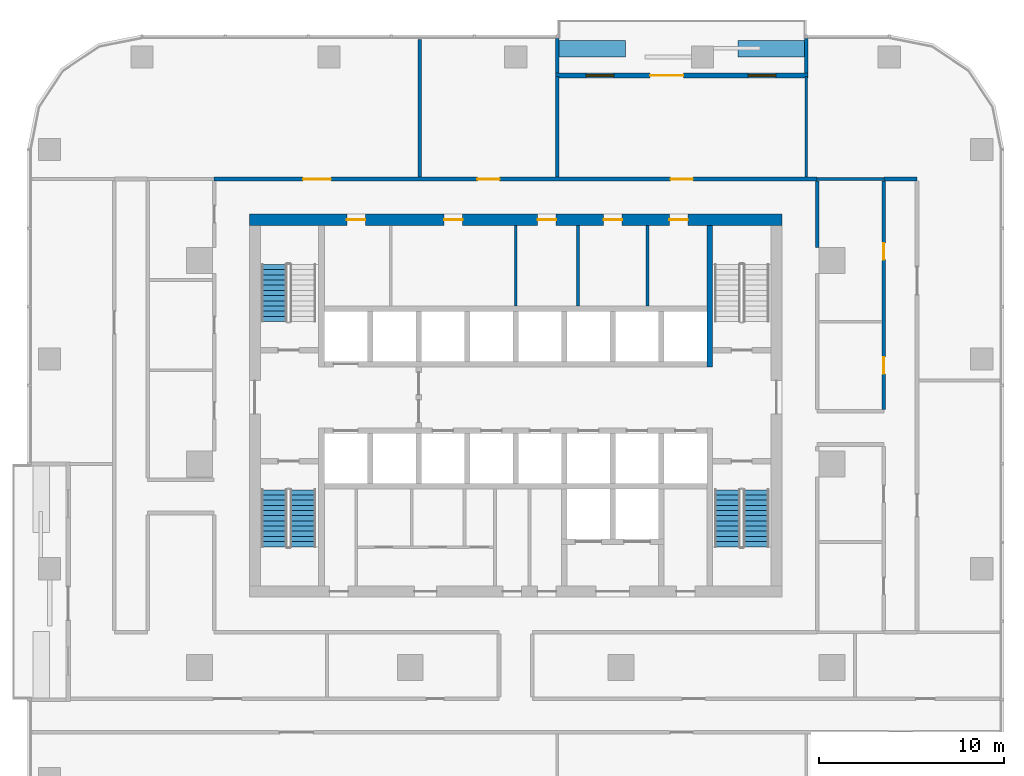
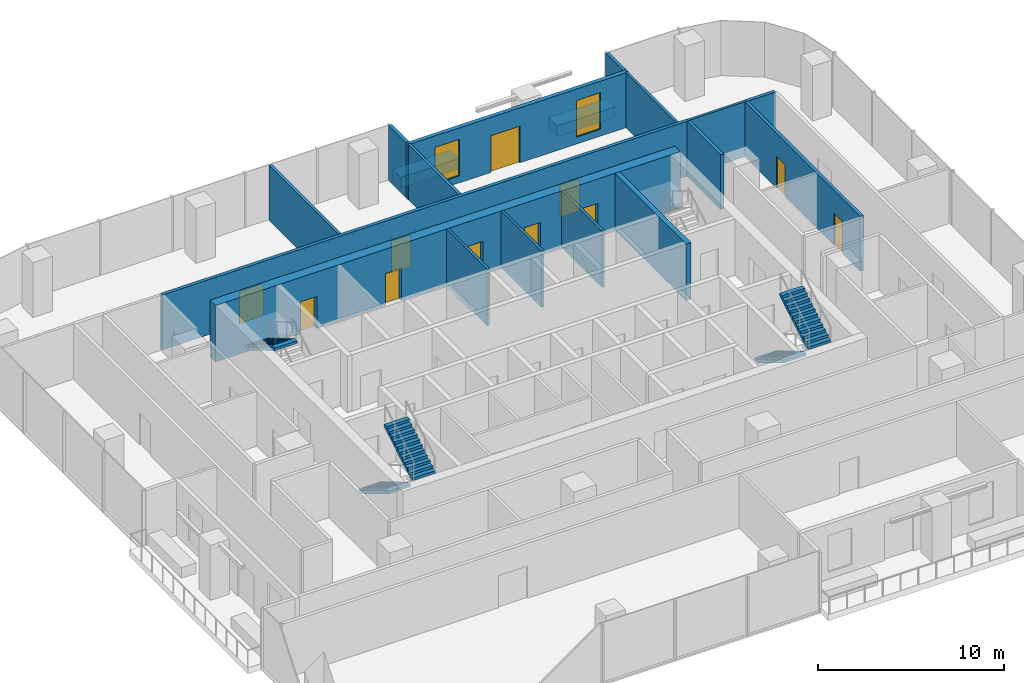
# One storey, part 10 of 14: 18 walls, 11 doors, 5 stair flights, 2 windows, 13 openings, 3 elements without a shape of their own.
"""IFC4 building model written with IfcOpenShell, lengths in metres."""

from ifc_helpers import new_model, si_unit, direction, frame, frame_2d, origin, place, context, subcontext, project, spatial, polyline, rectangle, outline, extrude, material, layer, layer_set, type_object, element, fill, aggregate, save


model = new_model("IFC4")

# Units and contexts
model_context = context("Model", 3, precision=1e-05, world=origin(), true_north=direction((0.0, 1.0)))
body_context = subcontext(model_context, "Body", "Model", "MODEL_VIEW")
ifc_project = project(units=[si_unit("LENGTHUNIT", "METRE"), si_unit("AREAUNIT", "SQUARE_METRE"), si_unit("VOLUMEUNIT", "CUBIC_METRE"), si_unit("PLANEANGLEUNIT", "RADIAN"), si_unit("MASSUNIT", "GRAM", prefix="KILO")], contexts=[model_context])

# Site, building, storey
site_placement = place(None, origin())
site = spatial("IfcSite", under=ifc_project, at=site_placement, CompositionType="ELEMENT")
building_placement = place(site_placement, origin())
building = spatial("IfcBuilding", under=site, at=building_placement, Name="Mopane Tessera Tower", CompositionType="ELEMENT")
storey_placement = place(building_placement, frame((0.0, 0.0, 185.0)))
storey = spatial("IfcBuildingStorey", under=building, at=storey_placement, Name="L38", CompositionType="ELEMENT", Elevation=185.0)

# Walls
ifc_material_1 = material(Name="Fire-rated gypsum board partition")
ifc_layer_1 = layer(ifc_material_1, 0.14990234375)
ifc_layer_set_1 = layer_set([ifc_layer_1], Name="Fire-rated gypsum board partition")
wall_type_1 = type_object("IfcWallType", Name="Core room partition 150 mm", PredefinedType="PARTITIONING", material=ifc_layer_set_1)
for number, where, z_axis, x_axis, name in (
    (1, (0.0, 8.550048828125, 0.0), (0.0, 0.0, 1.0), (0.0, 1.0, 0.0), "L38 Room partition"),
    (2, (3.375, 8.550048828125, 0.0), (0.0, 0.0, 1.0), (0.0, 1.0, 0.0), "L38 Room partition"),
    (3, (7.125, 8.550048828125, 0.0), (0.0, 0.0, 1.0), (0.0, 1.0, 0.0), "L38 Room partition"),
):
    element("IfcWall", number, at=place(storey_placement, frame(where, z_axis=z_axis, x_axis=x_axis)), inside=storey, type_object=wall_type_1, Name=name, PredefinedType="PARTITIONING", context=body_context, shape_type="SweptSolid", body=[
        extrude(rectangle(XDim=4.349853515625, YDim=0.14990234375, at=frame_2d((2.1748046875, 0.0))), origin(), (0.0, 0.0, 1.0), 3.699951171875),
    ])

# Wall, openings, doors
ifc_material_2 = material(Name="Concrete C70/85", Category="concrete")
ifc_layer_2 = layer(ifc_material_2, 0.60009765625)
ifc_layer_set_2 = layer_set([ifc_layer_2], Name="Concrete C70/85")
wall_type_2 = type_object("IfcWallType", Name="Core shear wall 600 mm", PredefinedType="SHEAR", material=ifc_layer_set_2)
wall_1_placement = place(storey_placement, frame((-14.39990234375, 13.199951171875, 0.0), z_axis=(0.0, 0.0, 1.0), x_axis=(1.0, 0.0, 0.0)))
wall_1 = element("IfcWall", 4, at=wall_1_placement, inside=storey, type_object=wall_type_2, Name="L38 Core wall north", PredefinedType="SHEAR", context=body_context, shape_type="SweptSolid", body=[
    extrude(rectangle(XDim=28.7998046875, YDim=0.60009765625, at=frame_2d((14.39990234375, 0.0))), origin(), (0.0, 0.0, 1.0), 3.699951171875),
])
opening_1_placement = place(wall_1_placement, frame((5.27490234375, 0.0, 0.0)))
opening_1 = element("IfcOpeningElement", 5, at=opening_1_placement, cuts=wall_1, Name="Opening RD1", PredefinedType="OPENING", context=body_context, shape_type="SweptSolid", body=[
    extrude(rectangle(XDim=1.0, YDim=2.10009765625, at=frame_2d((0.5, 1.050048828125))), frame((0.0, 0.31201171875, 0.0), z_axis=(0.0, -1.0, 0.0), x_axis=(1.0, 0.0, 0.0)), (0.0, 0.0, 1.0), 0.6240234375),
])
opening_2_placement = place(wall_1_placement, frame((10.52490234375, 0.0, 0.0)))
opening_2 = element("IfcOpeningElement", 6, at=opening_2_placement, cuts=wall_1, Name="Opening RD1", PredefinedType="OPENING", context=body_context, shape_type="SweptSolid", body=[
    extrude(rectangle(XDim=1.0, YDim=2.10009765625, at=frame_2d((0.5, 1.050048828125))), frame((0.0, 0.31201171875, 0.0), z_axis=(0.0, -1.0, 0.0), x_axis=(1.0, 0.0, 0.0)), (0.0, 0.0, 1.0), 0.6240234375),
])
opening_3_placement = place(wall_1_placement, frame((15.58740234375, 0.0, 0.0)))
opening_3 = element("IfcOpeningElement", 7, at=opening_3_placement, cuts=wall_1, Name="Opening RD1", PredefinedType="OPENING", context=body_context, shape_type="SweptSolid", body=[
    extrude(rectangle(XDim=1.0, YDim=2.10009765625, at=frame_2d((0.5, 1.050048828125))), frame((0.0, 0.31201171875, 0.0), z_axis=(0.0, -1.0, 0.0), x_axis=(1.0, 0.0, 0.0)), (0.0, 0.0, 1.0), 0.6240234375),
])
opening_4_placement = place(wall_1_placement, frame((19.14990234375, 0.0, 0.0)))
opening_4 = element("IfcOpeningElement", 8, at=opening_4_placement, cuts=wall_1, Name="Opening RD1", PredefinedType="OPENING", context=body_context, shape_type="SweptSolid", body=[
    extrude(rectangle(XDim=1.0, YDim=2.10009765625, at=frame_2d((0.5, 1.050048828125))), frame((0.0, 0.31201171875, 0.0), z_axis=(0.0, -1.0, 0.0), x_axis=(1.0, 0.0, 0.0)), (0.0, 0.0, 1.0), 0.6240234375),
])
opening_5_placement = place(wall_1_placement, frame((22.71240234375, 0.0, 0.0)))
opening_5 = element("IfcOpeningElement", 9, at=opening_5_placement, cuts=wall_1, Name="Opening RD1", PredefinedType="OPENING", context=body_context, shape_type="SweptSolid", body=[
    extrude(rectangle(XDim=1.0, YDim=2.10009765625, at=frame_2d((0.5, 1.050048828125))), frame((0.0, 0.31201171875, 0.0), z_axis=(0.0, -1.0, 0.0), x_axis=(1.0, 0.0, 0.0)), (0.0, 0.0, 1.0), 0.6240234375),
])
ifc_material_3 = material(Name="Timber door", Category="wood")
door_type_1 = type_object("IfcDoorType", Name="Core room door 1000 x 2100", OperationType="SINGLE_SWING_LEFT", PredefinedType="DOOR", material=ifc_material_3)
door_1_placement = place(opening_1_placement, origin())
door_1 = element("IfcDoor", 10, at=door_1_placement, inside=storey, type_object=door_type_1, Name="L38 Room door", OperationType="SINGLE_SWING_LEFT", OverallHeight=2.10009765625, OverallWidth=1.0, PredefinedType="DOOR", context=body_context, shape_type="SweptSolid", body=[
    extrude(rectangle(XDim=1.0, YDim=2.10009765625, at=frame_2d((0.5, 1.050048828125))), frame((0.0, 0.02490234375, 0.0), z_axis=(0.0, -1.0, 0.0), x_axis=(1.0, 0.0, 0.0)), (0.0, 0.0, 1.0), 0.050048828125),
])
fill(opening_1, door_1)
door_2_placement = place(opening_2_placement, origin())
door_2 = element("IfcDoor", 11, at=door_2_placement, inside=storey, type_object=door_type_1, Name="L38 Room door", OperationType="SINGLE_SWING_LEFT", OverallHeight=2.10009765625, OverallWidth=1.0, PredefinedType="DOOR", context=body_context, shape_type="SweptSolid", body=[
    extrude(rectangle(XDim=1.0, YDim=2.10009765625, at=frame_2d((0.5, 1.050048828125))), frame((0.0, 0.02490234375, 0.0), z_axis=(0.0, -1.0, 0.0), x_axis=(1.0, 0.0, 0.0)), (0.0, 0.0, 1.0), 0.050048828125),
])
fill(opening_2, door_2)
door_3_placement = place(opening_3_placement, origin())
door_3 = element("IfcDoor", 12, at=door_3_placement, inside=storey, type_object=door_type_1, Name="L38 Room door", OperationType="SINGLE_SWING_LEFT", OverallHeight=2.10009765625, OverallWidth=1.0, PredefinedType="DOOR", context=body_context, shape_type="SweptSolid", body=[
    extrude(rectangle(XDim=1.0, YDim=2.10009765625, at=frame_2d((0.5, 1.050048828125))), frame((0.0, 0.02490234375, 0.0), z_axis=(0.0, -1.0, 0.0), x_axis=(1.0, 0.0, 0.0)), (0.0, 0.0, 1.0), 0.050048828125),
])
fill(opening_3, door_3)
door_4_placement = place(opening_4_placement, origin())
door_4 = element("IfcDoor", 13, at=door_4_placement, inside=storey, type_object=door_type_1, Name="L38 Room door", OperationType="SINGLE_SWING_LEFT", OverallHeight=2.10009765625, OverallWidth=1.0, PredefinedType="DOOR", context=body_context, shape_type="SweptSolid", body=[
    extrude(rectangle(XDim=1.0, YDim=2.10009765625, at=frame_2d((0.5, 1.050048828125))), frame((0.0, 0.02490234375, 0.0), z_axis=(0.0, -1.0, 0.0), x_axis=(1.0, 0.0, 0.0)), (0.0, 0.0, 1.0), 0.050048828125),
])
fill(opening_4, door_4)
door_5_placement = place(opening_5_placement, origin())
door_5 = element("IfcDoor", 14, at=door_5_placement, inside=storey, type_object=door_type_1, Name="L38 Room door", OperationType="SINGLE_SWING_LEFT", OverallHeight=2.10009765625, OverallWidth=1.0, PredefinedType="DOOR", context=body_context, shape_type="SweptSolid", body=[
    extrude(rectangle(XDim=1.0, YDim=2.10009765625, at=frame_2d((0.5, 1.050048828125))), frame((0.0, 0.02490234375, 0.0), z_axis=(0.0, -1.0, 0.0), x_axis=(1.0, 0.0, 0.0)), (0.0, 0.0, 1.0), 0.050048828125),
])
fill(opening_5, door_5)

# Walls
ifc_material_4 = material(Name="Concrete C60/75", Category="concrete")
ifc_layer_3 = layer(ifc_material_4, 0.300048828125)
ifc_layer_set_3 = layer_set([ifc_layer_3], Name="Concrete C60/75")
wall_type_3 = type_object("IfcWallType", Name="Core spine wall 300 mm", PredefinedType="SHEAR", material=ifc_layer_set_3)
wall_2_placement = place(storey_placement, frame((10.5, 5.25, 0.0), z_axis=(0.0, 0.0, 1.0), x_axis=(0.0, 1.0, 0.0)))
element("IfcWall", 15, at=wall_2_placement, inside=storey, type_object=wall_type_3, Name="L38 Core spine wall", PredefinedType="SHEAR", context=body_context, shape_type="SweptSolid", body=[
    extrude(rectangle(XDim=7.64990234375, YDim=0.300048828125, at=frame_2d((3.824951171875, 0.0))), origin(), (0.0, 0.0, 1.0), 3.699951171875),
])
ifc_material_5 = material(Name="Gypsum board on staggered steel studs, double layer each face, acoustic mineral wool infill", Category="steel")
ifc_layer_4 = layer(ifc_material_5, 0.175048828125)
ifc_layer_set_4 = layer_set([ifc_layer_4], Name="Gypsum board on staggered steel studs, double layer each face, acoustic mineral wool infill")
wall_type_4 = type_object("IfcWallType", Name="Gypsum board acoustic partition 175, rated EI 60", PredefinedType="PARTITIONING", material=ifc_layer_set_4)
wall_3_placement = place(storey_placement, frame((-5.18994140625, 15.5, 0.0), z_axis=(0.0, 0.0, 1.0), x_axis=(0.0, 1.0, 0.0)))
element("IfcWall", 16, at=wall_3_placement, inside=storey, type_object=wall_type_4, Name="Partition L38:032", PredefinedType="PARTITIONING", context=body_context, shape_type="SweptSolid", body=[
    extrude(rectangle(XDim=7.449951171875, YDim=0.175048828125, at=frame_2d((3.72509765625, 0.0))), origin(), (0.0, 0.0, 1.0), 3.60009765625),
])
wall_4_placement = place(storey_placement, frame((2.2451171875, 15.5, 0.0), z_axis=(0.0, 0.0, 1.0), x_axis=(0.0, 1.0, 0.0)))
element("IfcWall", 17, at=wall_4_placement, inside=storey, type_object=wall_type_4, Name="Partition L38:036", PredefinedType="PARTITIONING", context=body_context, shape_type="SweptSolid", body=[
    extrude(rectangle(XDim=5.449951171875, YDim=0.175048828125, at=frame_2d((2.72509765625, 0.0))), origin(), (0.0, 0.0, 1.0), 3.60009765625),
])

# Wall, openings, doors
ifc_material_6 = material(Name="Gypsum board on steel studs, two layers each face, mineral wool infill", Category="steel")
ifc_layer_5 = layer(ifc_material_6, 0.199951171875)
ifc_layer_set_5 = layer_set([ifc_layer_5], Name="Gypsum board on steel studs, two layers each face, mineral wool infill")
wall_type_5 = type_object("IfcWallType", Name="Gypsum board corridor wall 200, rated EI 60", PredefinedType="PARTITIONING", material=ifc_layer_set_5)
wall_5_placement = place(storey_placement, frame((-16.300048828125, 15.39990234375, 0.0), z_axis=(0.0, 0.0, 1.0), x_axis=(1.0, 0.0, 0.0)))
wall_5 = element("IfcWall", 18, at=wall_5_placement, inside=storey, type_object=wall_type_5, Name="Partition L38:023", PredefinedType="PARTITIONING", context=body_context, shape_type="SweptSolid", body=[
    extrude(rectangle(XDim=32.60009765625, YDim=0.199951171875, at=frame_2d((16.300048828125, 0.0))), origin(), (0.0, 0.0, 1.0), 3.60009765625),
])
opening_6_placement = place(wall_5_placement, frame((24.677490234375, 0.0, 0.0)))
opening_6 = element("IfcOpeningElement", 19, at=opening_6_placement, cuts=wall_5, Name="Opening L38-13", PredefinedType="OPENING", context=body_context, shape_type="SweptSolid", body=[
    extrude(rectangle(XDim=1.199951171875, YDim=2.10009765625, at=frame_2d((0.60009765625, 1.050048828125))), frame((0.0, 0.112060546875, 0.0), z_axis=(0.0, -1.0, 0.0), x_axis=(1.0, 0.0, 0.0)), (0.0, 0.0, 1.0), 0.223876953125),
])
opening_7_placement = place(wall_5_placement, frame((4.804931640625, 0.0, 0.0)))
opening_7 = element("IfcOpeningElement", 20, at=opening_7_placement, cuts=wall_5, Name="Opening L38-19", PredefinedType="OPENING", context=body_context, shape_type="SweptSolid", body=[
    extrude(rectangle(XDim=1.5, YDim=2.10009765625, at=frame_2d((0.75, 1.050048828125))), frame((0.0, 0.112060546875, 0.0), z_axis=(0.0, -1.0, 0.0), x_axis=(1.0, 0.0, 0.0)), (0.0, 0.0, 1.0), 0.223876953125),
])
opening_8_placement = place(wall_5_placement, frame((14.2275390625, 0.0, 0.0)))
opening_8 = element("IfcOpeningElement", 21, at=opening_8_placement, cuts=wall_5, Name="Opening L38-20", PredefinedType="OPENING", context=body_context, shape_type="SweptSolid", body=[
    extrude(rectangle(XDim=1.199951171875, YDim=2.10009765625, at=frame_2d((0.60009765625, 1.050048828125))), frame((0.0, 0.112060546875, 0.0), z_axis=(0.0, -1.0, 0.0), x_axis=(1.0, 0.0, 0.0)), (0.0, 0.0, 1.0), 0.223876953125),
])
ifc_material_7 = material(Name="Timber veneered steel-framed fire door", Category="steel")
door_type_2 = type_object("IfcDoorType", Name="Fire door FD60 1200 x 2100", OperationType="SINGLE_SWING_LEFT", PredefinedType="DOOR", material=ifc_material_7)
door_6_placement = place(opening_6_placement, origin())
door_6 = element("IfcDoor", 22, at=door_6_placement, inside=storey, type_object=door_type_2, Name="Door L38-13", ObjectType="D15A", OperationType="SINGLE_SWING_RIGHT", OverallHeight=2.10009765625, OverallWidth=1.199951171875, PredefinedType="DOOR", context=body_context, shape_type="SweptSolid", body=[
    extrude(rectangle(XDim=1.199951171875, YDim=2.10009765625, at=frame_2d((0.60009765625, 1.050048828125))), frame((0.0, 0.02490234375, 0.0), z_axis=(0.0, -1.0, 0.0), x_axis=(1.0, 0.0, 0.0)), (0.0, 0.0, 1.0), 0.050048828125),
])
fill(opening_6, door_6)
door_7_placement = place(opening_8_placement, origin())
door_7 = element("IfcDoor", 23, at=door_7_placement, inside=storey, type_object=door_type_2, Name="Door L38-20", ObjectType="D15A", OperationType="SINGLE_SWING_LEFT", OverallHeight=2.10009765625, OverallWidth=1.199951171875, PredefinedType="DOOR", context=body_context, shape_type="SweptSolid", body=[
    extrude(rectangle(XDim=1.199951171875, YDim=2.10009765625, at=frame_2d((0.60009765625, 1.050048828125))), frame((0.0, 0.02490234375, 0.0), z_axis=(0.0, -1.0, 0.0), x_axis=(1.0, 0.0, 0.0)), (0.0, 0.0, 1.0), 0.050048828125),
])
fill(opening_8, door_7)
ifc_material_8 = material(Name="Timber veneered steel-framed fire door", Category="steel")
door_type_3 = type_object("IfcDoorType", Name="Fire door pair FD60 1500 x 2100", OperationType="DOUBLE_DOOR_SINGLE_SWING", PredefinedType="DOOR", material=ifc_material_8)
door_8_placement = place(opening_7_placement, origin())
door_8 = element("IfcDoor", 24, at=door_8_placement, inside=storey, type_object=door_type_3, Name="Door L38-19", ObjectType="D17A", OperationType="DOUBLE_DOOR_SINGLE_SWING", OverallHeight=2.10009765625, OverallWidth=1.5, PredefinedType="DOOR", context=body_context, shape_type="SweptSolid", body=[
    extrude(rectangle(XDim=1.5, YDim=2.10009765625, at=frame_2d((0.75, 1.050048828125))), frame((0.0, 0.02490234375, 0.0), z_axis=(0.0, -1.0, 0.0), x_axis=(1.0, 0.0, 0.0)), (0.0, 0.0, 1.0), 0.050048828125),
])
fill(opening_7, door_8)

# Walls
wall_6_placement = place(storey_placement, frame((19.89990234375, 15.39990234375, 0.0), z_axis=(0.0, 0.0, 1.0), x_axis=(1.0, 0.0, 0.0)))
element("IfcWall", 25, at=wall_6_placement, inside=storey, type_object=wall_type_5, Name="Partition L38:024", PredefinedType="PARTITIONING", context=body_context, shape_type="SweptSolid", body=[
    extrude(rectangle(XDim=1.800048828125, YDim=0.199951171875, at=frame_2d((0.89990234375, 0.0))), origin(), (0.0, 0.0, 1.0), 3.60009765625),
])
wall_7_placement = place(storey_placement, frame((16.300048828125, 11.699951171875, 0.0), z_axis=(0.0, 0.0, 1.0), x_axis=(0.0, 1.0, 0.0)))
element("IfcWall", 26, at=wall_7_placement, inside=storey, type_object=wall_type_5, Name="Partition L38:042", PredefinedType="PARTITIONING", context=body_context, shape_type="SweptSolid", body=[
    extrude(rectangle(XDim=3.60009765625, YDim=0.199951171875, at=frame_2d((1.800048828125, 0.0))), origin(), (0.0, 0.0, 1.0), 3.60009765625),
])

# Wall, openings, doors
wall_8_placement = place(storey_placement, frame((19.89990234375, 2.949951171875, 0.0), z_axis=(0.0, 0.0, 1.0), x_axis=(0.0, 1.0, 0.0)))
wall_8 = element("IfcWall", 27, at=wall_8_placement, inside=storey, type_object=wall_type_5, Name="Partition L38:045", PredefinedType="PARTITIONING", context=body_context, shape_type="SweptSolid", body=[
    extrude(rectangle(XDim=12.35009765625, YDim=0.199951171875, at=frame_2d((6.175048828125, 0.0))), origin(), (0.0, 0.0, 1.0), 3.60009765625),
])
opening_9_placement = place(wall_8_placement, frame((8.092529296875, 0.0, 0.0)))
opening_9 = element("IfcOpeningElement", 28, at=opening_9_placement, cuts=wall_8, Name="Opening L38-06", PredefinedType="OPENING", context=body_context, shape_type="SweptSolid", body=[
    extrude(rectangle(XDim=0.89990234375, YDim=2.10009765625, at=frame_2d((0.449951171875, 1.050048828125))), frame((0.0, 0.112060546875, 0.0), z_axis=(0.0, -1.0, 0.0), x_axis=(1.0, 0.0, 0.0)), (0.0, 0.0, 1.0), 0.223876953125),
])
opening_10_placement = place(wall_8_placement, frame((1.91748046875, 0.0, 0.0)))
opening_10 = element("IfcOpeningElement", 29, at=opening_10_placement, cuts=wall_8, Name="Opening L38-18", PredefinedType="OPENING", context=body_context, shape_type="SweptSolid", body=[
    extrude(rectangle(XDim=0.89990234375, YDim=2.10009765625, at=frame_2d((0.449951171875, 1.050048828125))), frame((0.0, 0.112060546875, 0.0), z_axis=(0.0, -1.0, 0.0), x_axis=(1.0, 0.0, 0.0)), (0.0, 0.0, 1.0), 0.223876953125),
])
ifc_material_9 = material(Name="Timber veneered steel-framed fire door", Category="steel")
door_type_4 = type_object("IfcDoorType", Name="Fire door FD60 900 x 2100", OperationType="SINGLE_SWING_LEFT", PredefinedType="DOOR", material=ifc_material_9)
door_9_placement = place(opening_9_placement, origin())
door_9 = element("IfcDoor", 30, at=door_9_placement, inside=storey, type_object=door_type_4, Name="Door L38-06", ObjectType="D10A", OperationType="SINGLE_SWING_LEFT", OverallHeight=2.10009765625, OverallWidth=0.89990234375, PredefinedType="DOOR", context=body_context, shape_type="SweptSolid", body=[
    extrude(rectangle(XDim=0.89990234375, YDim=2.10009765625, at=frame_2d((0.449951171875, 1.050048828125))), frame((0.0, 0.02490234375, 0.0), z_axis=(0.0, -1.0, 0.0), x_axis=(1.0, 0.0, 0.0)), (0.0, 0.0, 1.0), 0.050048828125),
])
fill(opening_9, door_9)
door_10_placement = place(opening_10_placement, origin())
door_10 = element("IfcDoor", 31, at=door_10_placement, inside=storey, type_object=door_type_4, Name="Door L38-18", ObjectType="D10A", OperationType="SINGLE_SWING_LEFT", OverallHeight=2.10009765625, OverallWidth=0.89990234375, PredefinedType="DOOR", context=body_context, shape_type="SweptSolid", body=[
    extrude(rectangle(XDim=0.89990234375, YDim=2.10009765625, at=frame_2d((0.449951171875, 1.050048828125))), frame((0.0, 0.02490234375, 0.0), z_axis=(0.0, -1.0, 0.0), x_axis=(1.0, 0.0, 0.0)), (0.0, 0.0, 1.0), 0.050048828125),
])
fill(opening_10, door_10)

# Walls
ifc_material_10 = material(Name="Gypsum board on steel studs, mineral wool infill", Category="steel")
ifc_layer_6 = layer(ifc_material_10, 0.14990234375)
ifc_layer_set_6 = layer_set([ifc_layer_6], Name="Gypsum board on steel studs, mineral wool infill")
wall_type_6 = type_object("IfcWallType", Name="Gypsum board partition 150, rated EI 60", PredefinedType="PARTITIONING", material=ifc_layer_set_6)
wall_9_placement = place(storey_placement, frame((16.300048828125, 15.39990234375, 0.0), z_axis=(0.0, 0.0, 1.0), x_axis=(1.0, 0.0, 0.0)))
element("IfcWall", 32, at=wall_9_placement, inside=storey, type_object=wall_type_6, Name="Partition L38:021", PredefinedType="PARTITIONING", context=body_context, shape_type="SweptSolid", body=[
    extrude(rectangle(XDim=3.599853515625, YDim=0.14990234375, at=frame_2d((1.7998046875, 0.0))), origin(), (0.0, 0.0, 1.0), 3.60009765625),
])
wall_10_placement = place(storey_placement, frame((15.7099609375, 15.5, 0.0), z_axis=(0.0, 0.0, 1.0), x_axis=(0.0, 1.0, 0.0)))
element("IfcWall", 33, at=wall_10_placement, inside=storey, type_object=wall_type_6, Name="Partition L38:038", PredefinedType="PARTITIONING", context=body_context, shape_type="SweptSolid", body=[
    extrude(rectangle(XDim=5.449951171875, YDim=0.14990234375, at=frame_2d((2.72509765625, 0.0))), origin(), (0.0, 0.0, 1.0), 3.60009765625),
])
ifc_material_11 = material(Name="Reinforced concrete C32/40 with waterproofing", Category="concrete")
ifc_layer_7 = layer(ifc_material_11, 0.89990234375)
ifc_layer_set_7 = layer_set([ifc_layer_7], Name="Reinforced concrete C32/40 with waterproofing")
wall_type_7 = type_object("IfcWallType", Name="Planter trough 3600 x 900", PredefinedType="STANDARD", material=ifc_layer_set_7)
for number, where, z_axis, x_axis, name in (
    (34, (15.611083984375, 22.449951171875, 0.0), (0.0, 0.0, 1.0), (-1.0, 0.0, 0.0), "e:nw:L38:N3:pl0"),
    (35, (5.9443359375, 22.449951171875, 0.0), (0.0, 0.0, 1.0), (-1.0, 0.0, 0.0), "e:nw:L38:N3:pl1"),
):
    element("IfcWall", number, at=place(storey_placement, frame(where, z_axis=z_axis, x_axis=x_axis)), inside=storey, type_object=wall_type_7, Name=name, PredefinedType="STANDARD", context=body_context, shape_type="SweptSolid", body=[
        extrude(rectangle(XDim=3.599853515625, YDim=0.89990234375, at=frame_2d((1.7998046875, 0.0))), origin(), (0.0, 0.0, 1.0), 0.699951171875),
    ])
ifc_material_12 = material(Name="Blockwork with glazed tile facing", Category="masonry")
ifc_layer_8 = layer(ifc_material_12, 0.199951171875)
ifc_layer_set_8 = layer_set([ifc_layer_8], Name="Blockwork with glazed tile facing")
wall_type_8 = type_object("IfcWallType", Name="Terrace cheek wall 200", PredefinedType="STANDARD", material=ifc_layer_set_8)
for number, where, z_axis, x_axis, name in (
    (36, (15.711181640625, 23.0, 0.0), (0.0, 0.0, 1.0), (0.0, -1.0, 0.0), "e:nw:L38:N3:cheeka"),
    (37, (2.244384765625, 23.0, 0.0), (0.0, 0.0, 1.0), (0.0, -1.0, 0.0), "e:nw:L38:N3:cheekb"),
):
    element("IfcWall", number, at=place(storey_placement, frame(where, z_axis=z_axis, x_axis=x_axis)), inside=storey, type_object=wall_type_8, Name=name, PredefinedType="STANDARD", context=body_context, shape_type="SweptSolid", body=[
        extrude(rectangle(XDim=1.875, YDim=0.199951171875, at=frame_2d((0.9375, 0.0))), origin(), (0.0, 0.0, 1.0), 3.60009765625),
    ])

# Wall, openings, windows, door
ifc_material_13 = material(Name="Blockwork with turquoise glazed tile facing", Category="masonry")
ifc_layer_9 = layer(ifc_material_13, 0.25)
ifc_layer_set_9 = layer_set([ifc_layer_9], Name="Blockwork with turquoise glazed tile facing")
wall_type_9 = type_object("IfcWallType", Name="Tile-clad external wall 250, turquoise", PredefinedType="STANDARD", material=ifc_layer_set_9)
wall_11_placement = place(storey_placement, frame((15.81103515625, 21.0, 0.0), z_axis=(0.0, 0.0, 1.0), x_axis=(-1.0, 0.0, 0.0)))
wall_11 = element("IfcWall", 38, at=wall_11_placement, inside=storey, type_object=wall_type_9, Name="e:nw:L38:N3:back", PredefinedType="STANDARD", context=body_context, shape_type="SweptSolid", body=[
    extrude(rectangle(XDim=13.66650390625, YDim=0.25, at=frame_2d((6.833251953125, 0.0))), origin(), (0.0, 0.0, 1.0), 3.60009765625),
])
opening_11_placement = place(wall_11_placement, frame((1.75, 0.0, 0.449951171875)))
opening_11 = element("IfcOpeningElement", 39, at=opening_11_placement, cuts=wall_11, Name="Opening NW383A", PredefinedType="OPENING", context=body_context, shape_type="SweptSolid", body=[
    extrude(rectangle(XDim=1.5, YDim=2.39990234375, at=frame_2d((0.75, 1.199951171875))), frame((0.0, 0.136962890625, 0.0), z_axis=(0.0, -1.0, 0.0), x_axis=(1.0, 0.0, 0.0)), (0.0, 0.0, 1.0), 0.27392578125),
])
opening_12_placement = place(wall_11_placement, frame((6.75, 0.0, 0.0)))
opening_12 = element("IfcOpeningElement", 40, at=opening_12_placement, cuts=wall_11, Name="Opening ND383", PredefinedType="OPENING", context=body_context, shape_type="SweptSolid", body=[
    extrude(rectangle(XDim=1.800048828125, YDim=2.39990234375, at=frame_2d((0.89990234375, 1.199951171875))), frame((0.0, 0.136962890625, 0.0), z_axis=(0.0, -1.0, 0.0), x_axis=(1.0, 0.0, 0.0)), (0.0, 0.0, 1.0), 0.27392578125),
])
opening_13_placement = place(wall_11_placement, frame((10.5, 0.0, 0.449951171875)))
opening_13 = element("IfcOpeningElement", 41, at=opening_13_placement, cuts=wall_11, Name="Opening NW383B", PredefinedType="OPENING", context=body_context, shape_type="SweptSolid", body=[
    extrude(rectangle(XDim=1.5, YDim=2.39990234375, at=frame_2d((0.75, 1.199951171875))), frame((0.0, 0.136962890625, 0.0), z_axis=(0.0, -1.0, 0.0), x_axis=(1.0, 0.0, 0.0)), (0.0, 0.0, 1.0), 0.27392578125),
])
ifc_material_14 = material(Name="Clear laminated glass", Category="glass")
window_type = type_object("IfcWindowType", Name="Fixed window 1500 x 2400", PartitioningType="SINGLE_PANEL", PredefinedType="WINDOW", material=ifc_material_14)
window_1_placement = place(opening_11_placement, origin())
window_1 = element("IfcWindow", 42, at=window_1_placement, inside=storey, type_object=window_type, Name="e:nw:L38:N3:win0", OverallHeight=2.39990234375, OverallWidth=1.5, PartitioningType="SINGLE_PANEL", PredefinedType="WINDOW", context=body_context, shape_type="SweptSolid", body=[
    extrude(rectangle(XDim=1.5, YDim=2.39990234375, at=frame_2d((0.75, 1.199951171875))), frame((0.0, 0.030029296875, 0.0), z_axis=(0.0, -1.0, 0.0), x_axis=(1.0, 0.0, 0.0)), (0.0, 0.0, 1.0), 0.06005859375),
])
fill(opening_11, window_1)
window_2_placement = place(opening_13_placement, origin())
window_2 = element("IfcWindow", 43, at=window_2_placement, inside=storey, type_object=window_type, Name="e:nw:L38:N3:win2", OverallHeight=2.39990234375, OverallWidth=1.5, PartitioningType="SINGLE_PANEL", PredefinedType="WINDOW", context=body_context, shape_type="SweptSolid", body=[
    extrude(rectangle(XDim=1.5, YDim=2.39990234375, at=frame_2d((0.75, 1.199951171875))), frame((0.0, 0.030029296875, 0.0), z_axis=(0.0, -1.0, 0.0), x_axis=(1.0, 0.0, 0.0)), (0.0, 0.0, 1.0), 0.06005859375),
])
fill(opening_13, window_2)
ifc_material_15 = material(Name="Aluminium and clear glass", Category="aluminium")
door_type_5 = type_object("IfcDoorType", Name="Terrace double door 1800 x 2400", OperationType="DOUBLE_DOOR_SINGLE_SWING", PredefinedType="DOOR", material=ifc_material_15)
door_11_placement = place(opening_12_placement, origin())
door_11 = element("IfcDoor", 44, at=door_11_placement, inside=storey, type_object=door_type_5, Name="e:nw:L38:N3:door", ObjectType="D1", OperationType="DOUBLE_DOOR_SINGLE_SWING", OverallHeight=2.39990234375, OverallWidth=1.800048828125, PredefinedType="DOOR", context=body_context, shape_type="SweptSolid", body=[
    extrude(rectangle(XDim=1.800048828125, YDim=2.39990234375, at=frame_2d((0.89990234375, 1.199951171875))), frame((0.0, 0.02490234375, 0.0), z_axis=(0.0, -1.0, 0.0), x_axis=(1.0, 0.0, 0.0)), (0.0, 0.0, 1.0), 0.050048828125),
])
fill(opening_12, door_11)

# Stair, stair flights
ifc_material_16 = material(Name="Concrete C50/60", Category="concrete")
stair_type = type_object("IfcStairType", Name="Escape stair 1400 mm, riser 167 mm", PredefinedType="HALF_TURN_STAIR", material=ifc_material_16)
stair_1_placement = place(storey_placement, origin())
stair_1 = element("IfcStair", 45, at=stair_1_placement, inside=storey, type_object=stair_type, Name="L38 Escape stair south-west", PredefinedType="HALF_TURN_STAIR")
ifc_material_17 = material(Name="Concrete C50/60", Category="concrete")
stair_flight_type = type_object("IfcStairFlightType", Name="Escape stair flight 1400 mm", PredefinedType="STRAIGHT", material=ifc_material_17)
stair_flight_1_placement = place(storey_placement, frame((-13.050048828125, -1.39990234375, 0.0), z_axis=(0.0, 0.0, 1.0), x_axis=(0.0, -1.0, 0.0)))
stair_flight_1 = element("IfcStairFlight", 46, at=stair_flight_1_placement, type_object=stair_flight_type, Name="ST1 flight 1", NumberOfRisers=12, NumberOfTreads=11, PredefinedType="STRAIGHT", RiserHeight=0.166666667, TreadLength=0.28, context=body_context, shape_type="SweptSolid", body=[
    extrude(outline(polyline([(0.0, 0.0), (0.0, 0.166748046875), (0.280029296875, 0.166748046875), (0.280029296875, 0.333251953125), (0.56005859375, 0.333251953125), (0.56005859375, 0.5), (0.840087890625, 0.5), (0.840087890625, 0.666748046875), (1.1201171875, 0.666748046875), (1.1201171875, 0.833251953125), (1.39990234375, 0.833251953125), (1.39990234375, 1.0), (1.679931640625, 1.0), (1.679931640625, 1.166748046875), (1.9599609375, 1.166748046875), (1.9599609375, 1.333251953125), (2.239990234375, 1.333251953125), (2.239990234375, 1.5), (2.52001953125, 1.5), (2.52001953125, 1.666748046875), (2.800048828125, 1.666748046875), (2.800048828125, 1.833251953125), (3.080078125, 1.833251953125), (3.080078125, 2.0), (3.080078125, 1.658935546875), (0.29296875, 0.0), (0.0, 0.0)])), frame((0.0, 0.699951171875, 0.0), z_axis=(0.0, -1.0, 0.0), x_axis=(1.0, 0.0, 0.0)), (0.0, 0.0, 1.0), 1.39990234375),
])
stair_flight_2_placement = place(storey_placement, frame((-11.5, -4.47998046875, 2.0), z_axis=(0.0, 0.0, 1.0), x_axis=(0.0, 1.0, 0.0)))
stair_flight_2 = element("IfcStairFlight", 47, at=stair_flight_2_placement, type_object=stair_flight_type, Name="ST1 flight 2", NumberOfRisers=12, NumberOfTreads=11, PredefinedType="STRAIGHT", RiserHeight=0.166666667, TreadLength=0.28, context=body_context, shape_type="SweptSolid", body=[
    extrude(outline(polyline([(0.0, 0.0), (0.0, 0.166748046875), (0.280029296875, 0.166748046875), (0.280029296875, 0.333251953125), (0.56005859375, 0.333251953125), (0.56005859375, 0.5), (0.840087890625, 0.5), (0.840087890625, 0.666748046875), (1.1201171875, 0.666748046875), (1.1201171875, 0.833251953125), (1.39990234375, 0.833251953125), (1.39990234375, 1.0), (1.679931640625, 1.0), (1.679931640625, 1.166748046875), (1.9599609375, 1.166748046875), (1.9599609375, 1.333251953125), (2.239990234375, 1.333251953125), (2.239990234375, 1.5), (2.52001953125, 1.5), (2.52001953125, 1.666748046875), (2.800048828125, 1.666748046875), (2.800048828125, 1.833251953125), (3.080078125, 1.833251953125), (3.080078125, 2.0), (3.080078125, 1.658935546875), (0.29296875, 0.0), (0.0, 0.0)])), frame((0.0, 0.699951171875, 0.0), z_axis=(0.0, -1.0, 0.0), x_axis=(1.0, 0.0, 0.0)), (0.0, 0.0, 1.0), 1.39990234375),
])
aggregate(stair_1, [stair_flight_1, stair_flight_2])

# Stair, stair flight
stair_2_placement = place(storey_placement, origin())
stair_2 = element("IfcStair", 48, at=stair_2_placement, inside=storey, type_object=stair_type, Name="L38 Escape stair north-west", PredefinedType="HALF_TURN_STAIR")
stair_flight_3_placement = place(storey_placement, frame((-13.050048828125, 10.780029296875, 2.0), z_axis=(0.0, 0.0, 1.0), x_axis=(0.0, -1.0, 0.0)))
stair_flight_3 = element("IfcStairFlight", 49, at=stair_flight_3_placement, type_object=stair_flight_type, Name="ST2 flight 2", NumberOfRisers=12, NumberOfTreads=11, PredefinedType="STRAIGHT", RiserHeight=0.166666667, TreadLength=0.28, context=body_context, shape_type="SweptSolid", body=[
    extrude(outline(polyline([(0.0, 0.0), (0.0, 0.166748046875), (0.280029296875, 0.166748046875), (0.280029296875, 0.333251953125), (0.56005859375, 0.333251953125), (0.56005859375, 0.5), (0.840087890625, 0.5), (0.840087890625, 0.666748046875), (1.1201171875, 0.666748046875), (1.1201171875, 0.833251953125), (1.39990234375, 0.833251953125), (1.39990234375, 1.0), (1.679931640625, 1.0), (1.679931640625, 1.166748046875), (1.9599609375, 1.166748046875), (1.9599609375, 1.333251953125), (2.239990234375, 1.333251953125), (2.239990234375, 1.5), (2.52001953125, 1.5), (2.52001953125, 1.666748046875), (2.800048828125, 1.666748046875), (2.800048828125, 1.833251953125), (3.080078125, 1.833251953125), (3.080078125, 2.0), (3.080078125, 1.658935546875), (0.29296875, 0.0), (0.0, 0.0)])), frame((0.0, 0.699951171875, 0.0), z_axis=(0.0, -1.0, 0.0), x_axis=(1.0, 0.0, 0.0)), (0.0, 0.0, 1.0), 1.39990234375),
])
aggregate(stair_2, [stair_flight_3])

# Stair, stair flights
stair_3_placement = place(storey_placement, origin())
stair_3 = element("IfcStair", 50, at=stair_3_placement, inside=storey, type_object=stair_type, Name="L38 Escape stair south-east", PredefinedType="HALF_TURN_STAIR")
stair_flight_4_placement = place(storey_placement, frame((11.449951171875, -1.39990234375, 0.0), z_axis=(0.0, 0.0, 1.0), x_axis=(0.0, -1.0, 0.0)))
stair_flight_4 = element("IfcStairFlight", 51, at=stair_flight_4_placement, type_object=stair_flight_type, Name="ST3 flight 1", NumberOfRisers=12, NumberOfTreads=11, PredefinedType="STRAIGHT", RiserHeight=0.166666667, TreadLength=0.28, context=body_context, shape_type="SweptSolid", body=[
    extrude(outline(polyline([(0.0, 0.0), (0.0, 0.166748046875), (0.280029296875, 0.166748046875), (0.280029296875, 0.333251953125), (0.56005859375, 0.333251953125), (0.56005859375, 0.5), (0.840087890625, 0.5), (0.840087890625, 0.666748046875), (1.1201171875, 0.666748046875), (1.1201171875, 0.833251953125), (1.39990234375, 0.833251953125), (1.39990234375, 1.0), (1.679931640625, 1.0), (1.679931640625, 1.166748046875), (1.9599609375, 1.166748046875), (1.9599609375, 1.333251953125), (2.239990234375, 1.333251953125), (2.239990234375, 1.5), (2.52001953125, 1.5), (2.52001953125, 1.666748046875), (2.800048828125, 1.666748046875), (2.800048828125, 1.833251953125), (3.080078125, 1.833251953125), (3.080078125, 2.0), (3.080078125, 1.658935546875), (0.29296875, 0.0), (0.0, 0.0)])), frame((0.0, 0.699951171875, 0.0), z_axis=(0.0, -1.0, 0.0), x_axis=(1.0, 0.0, 0.0)), (0.0, 0.0, 1.0), 1.39990234375),
])
stair_flight_5_placement = place(storey_placement, frame((13.0, -4.47998046875, 2.0), z_axis=(0.0, 0.0, 1.0), x_axis=(0.0, 1.0, 0.0)))
stair_flight_5 = element("IfcStairFlight", 52, at=stair_flight_5_placement, type_object=stair_flight_type, Name="ST3 flight 2", NumberOfRisers=12, NumberOfTreads=11, PredefinedType="STRAIGHT", RiserHeight=0.166666667, TreadLength=0.28, context=body_context, shape_type="SweptSolid", body=[
    extrude(outline(polyline([(0.0, 0.0), (0.0, 0.166748046875), (0.280029296875, 0.166748046875), (0.280029296875, 0.333251953125), (0.56005859375, 0.333251953125), (0.56005859375, 0.5), (0.840087890625, 0.5), (0.840087890625, 0.666748046875), (1.1201171875, 0.666748046875), (1.1201171875, 0.833251953125), (1.39990234375, 0.833251953125), (1.39990234375, 1.0), (1.679931640625, 1.0), (1.679931640625, 1.166748046875), (1.9599609375, 1.166748046875), (1.9599609375, 1.333251953125), (2.239990234375, 1.333251953125), (2.239990234375, 1.5), (2.52001953125, 1.5), (2.52001953125, 1.666748046875), (2.800048828125, 1.666748046875), (2.800048828125, 1.833251953125), (3.080078125, 1.833251953125), (3.080078125, 2.0), (3.080078125, 1.658935546875), (0.29296875, 0.0), (0.0, 0.0)])), frame((0.0, 0.699951171875, 0.0), z_axis=(0.0, -1.0, 0.0), x_axis=(1.0, 0.0, 0.0)), (0.0, 0.0, 1.0), 1.39990234375),
])
aggregate(stair_3, [stair_flight_4, stair_flight_5])

save(model, "model.ifc")
